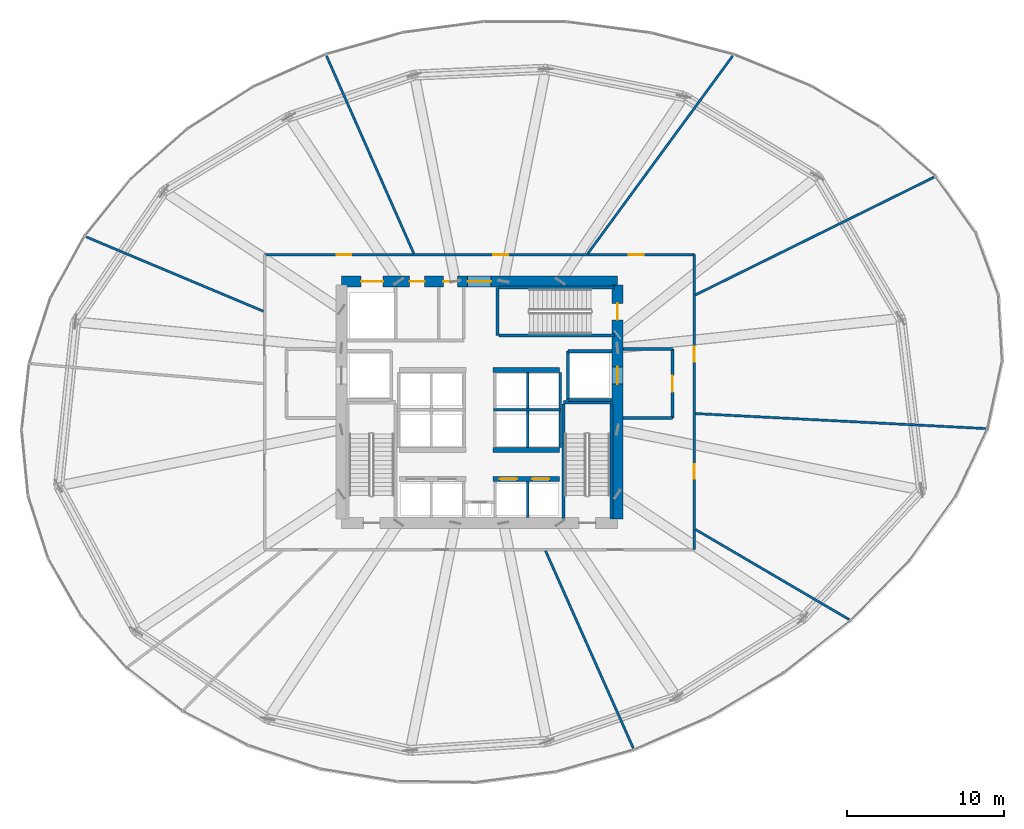
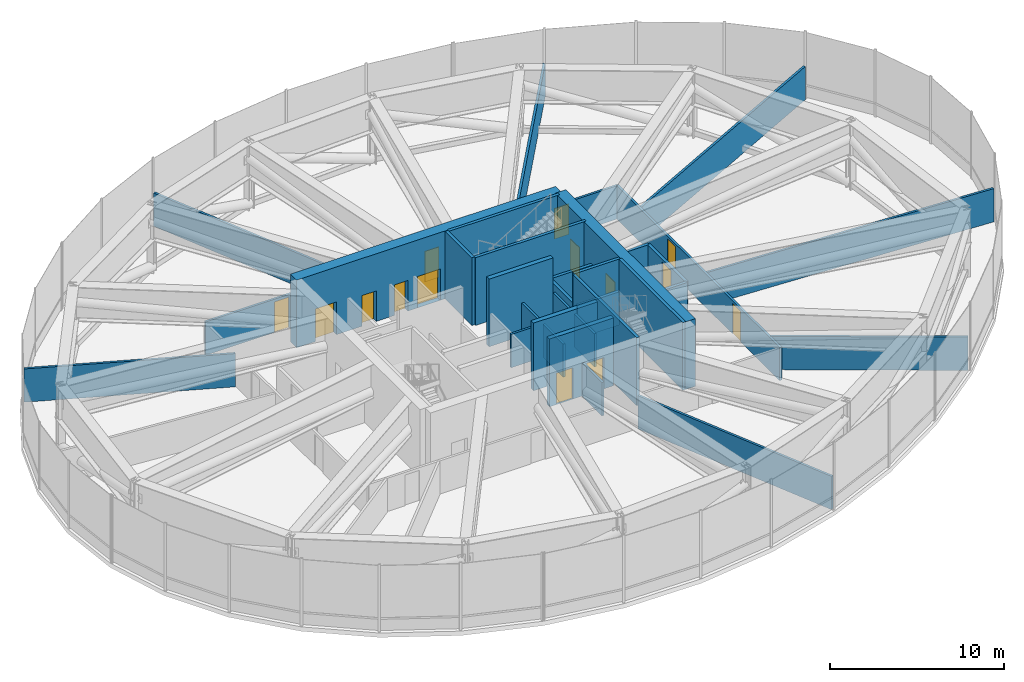
# One storey, part 31 of 33: 32 walls, 14 doors, 14 openings.
"""IFC4 building model written with IfcOpenShell, lengths in metres."""

from ifc_helpers import new_model, si_unit, direction, frame, frame_2d, origin, place, context, subcontext, project, spatial, rectangle, extrude, source, transform, mapped, material, layer, layer_set, type_object, element, fill, save


model = new_model("IFC4")

# Units and contexts
model_context = context("Model", 3, precision=1e-05, world=origin(), true_north=direction((0.0, 1.0)))
body_context = subcontext(model_context, "Body", "Model", "MODEL_VIEW")
ifc_project = project(units=[si_unit("LENGTHUNIT", "METRE"), si_unit("AREAUNIT", "SQUARE_METRE"), si_unit("VOLUMEUNIT", "CUBIC_METRE"), si_unit("PLANEANGLEUNIT", "RADIAN"), si_unit("MASSUNIT", "GRAM", prefix="KILO"), si_unit("THERMODYNAMICTEMPERATUREUNIT", "KELVIN")], contexts=[model_context])

# Site, building, storey
site_placement = place(None, origin())
site = spatial("IfcSite", under=ifc_project, at=site_placement, CompositionType="ELEMENT")
building_placement = place(site_placement, origin())
building = spatial("IfcBuilding", under=site, at=building_placement, Name="Kethvar Cultural Tower", CompositionType="ELEMENT")
storey_placement = place(building_placement, frame((0.0, 0.0, 80.39990234375)))
storey = spatial("IfcBuildingStorey", under=building, at=storey_placement, Name="L19", CompositionType="ELEMENT", Elevation=80.39990234375)

# Wall, openings, doors
ifc_material_1 = material(Name="Concrete C60/75", Category="concrete")
ifc_layer_1 = layer(ifc_material_1, 0.699951171875, Name="Concrete C60/75", Category="concrete")
ifc_layer_set_1 = layer_set([ifc_layer_1], Name="Concrete C60/75 (700 mm)")
wall_type_1 = type_object("IfcWallType", Name="WL-CORE-700", PredefinedType="SHEAR", material=ifc_layer_set_1)
wall_1_placement = place(storey_placement, frame((55.60009765625, 35.5, 0.0), z_axis=(0.0, 0.0, 1.0), x_axis=(-1.0, 0.0, 0.0)))
wall_1 = element("IfcWall", 1, at=wall_1_placement, inside=storey, type_object=wall_type_1, Name="L19 Core Shear Wall N", PredefinedType="SHEAR", context=body_context, shape_type="SweptSolid", body=[
    extrude(rectangle(XDim=17.60009765625, YDim=0.699951171875, at=frame_2d((8.800048828125, 0.0))), origin(), (0.0, 0.0, 1.0), 4.760009765625),
])
opening_1_placement = place(wall_1_placement, frame((8.050048828125, 0.0, 0.0)))
opening_1 = element("IfcOpeningElement", 2, at=opening_1_placement, cuts=wall_1, Name="Opening D-L19-LN", PredefinedType="OPENING", context=body_context, shape_type="SweptSolid", body=[
    extrude(rectangle(XDim=1.5, YDim=2.199951171875, at=frame_2d((0.75, 1.10009765625))), frame((0.0, 0.35986328125, 0.0), z_axis=(0.0, -1.0, 0.0), x_axis=(1.0, 0.0, 0.0)), (0.0, 0.0, 1.0), 0.719970703125),
])
opening_2_placement = place(wall_1_placement, frame((14.949951171875, 0.0, 0.0)))
opening_2 = element("IfcOpeningElement", 3, at=opening_2_placement, cuts=wall_1, Name="Opening LD-G1", PredefinedType="OPENING", context=body_context, shape_type="SweptSolid", body=[
    extrude(rectangle(XDim=1.39990234375, YDim=2.300048828125, at=frame_2d((0.699951171875, 1.14990234375))), frame((0.0, 0.35986328125, 0.0), z_axis=(0.0, -1.0, 0.0), x_axis=(1.0, 0.0, 0.0)), (0.0, 0.0, 1.0), 0.719970703125),
])
opening_3_placement = place(wall_1_placement, frame((12.300048828125, 0.0, 0.0)))
opening_3 = element("IfcOpeningElement", 4, at=opening_3_placement, cuts=wall_1, Name="Opening D-L19-W1", PredefinedType="OPENING", context=body_context, shape_type="SweptSolid", body=[
    extrude(rectangle(XDim=0.949951171875, YDim=2.14990234375, at=frame_2d((0.47509765625, 1.074951171875))), frame((0.0, 0.35986328125, 0.0), z_axis=(0.0, -1.0, 0.0), x_axis=(1.0, 0.0, 0.0)), (0.0, 0.0, 1.0), 0.719970703125),
])
opening_4_placement = place(wall_1_placement, frame((10.199951171875, 0.0, 0.0)))
opening_4 = element("IfcOpeningElement", 5, at=opening_4_placement, cuts=wall_1, Name="Opening D-L19-W2", PredefinedType="OPENING", context=body_context, shape_type="SweptSolid", body=[
    extrude(rectangle(XDim=0.89990234375, YDim=2.14990234375, at=frame_2d((0.449951171875, 1.074951171875))), frame((0.0, 0.35986328125, 0.0), z_axis=(0.0, -1.0, 0.0), x_axis=(1.0, 0.0, 0.0)), (0.0, 0.0, 1.0), 0.719970703125),
])
ifc_material_2 = material(Name="Architectural Oak Timber", Category="wood")
door_type_1 = type_object("IfcDoorType", Name="DR-DBL-FD60-1500", OperationType="DOUBLE_DOOR_SINGLE_SWING", PredefinedType="DOOR", material=ifc_material_2)
shared_shape_1 = source(origin(), body_context, "Body", "SweptSolid", [
    extrude(rectangle(XDim=1.5, YDim=2.199951171875, at=frame_2d((0.75, 1.10009765625))), frame((0.0, 0.02490234375, 0.0), z_axis=(0.0, -1.0, 0.0), x_axis=(1.0, 0.0, 0.0)), (0.0, 0.0, 1.0), 0.050048828125),
])
door_1_placement = place(opening_1_placement, origin())
door_1 = element("IfcDoor", 6, at=door_1_placement, inside=storey, type_object=door_type_1, Name="L19 Lift Lobby Concourse Door", OperationType="DOUBLE_DOOR_SINGLE_SWING", OverallHeight=2.199951171875, OverallWidth=1.5, PredefinedType="DOOR", context=body_context, shape_type="MappedRepresentation", body=[
    mapped(shared_shape_1, transform((0.0, 0.0, 0.0), scale=1.0)),
])
fill(opening_1, door_1)
ifc_material_3 = material(Name="Steel S355J2", Category="steel")
door_type_2 = type_object("IfcDoorType", Name="DR-LIFT-SLIDE-1400", OperationType="NOTDEFINED", PredefinedType="DOOR", material=ifc_material_3)
shared_shape_2 = source(origin(), body_context, "Body", "SweptSolid", [
    extrude(rectangle(XDim=1.39990234375, YDim=2.300048828125, at=frame_2d((0.699951171875, 1.14990234375))), frame((0.0, 0.02490234375, 0.0), z_axis=(0.0, -1.0, 0.0), x_axis=(1.0, 0.0, 0.0)), (0.0, 0.0, 1.0), 0.050048828125),
])
door_2_placement = place(opening_2_placement, origin())
door_2 = element("IfcDoor", 7, at=door_2_placement, inside=storey, type_object=door_type_2, Name="L19 Goods Lift Landing Door", OperationType="SLIDING_TO_RIGHT", OverallHeight=2.300048828125, OverallWidth=1.39990234375, PredefinedType="DOOR", context=body_context, shape_type="MappedRepresentation", body=[
    mapped(shared_shape_2, transform((0.0, 0.0, 0.0), scale=1.0)),
])
fill(opening_2, door_2)
door_type_3 = type_object("IfcDoorType", Name="DR-FD30-950", OperationType="NOTDEFINED", PredefinedType="DOOR", material=ifc_material_2)
shared_shape_3 = source(origin(), body_context, "Body", "SweptSolid", [
    extrude(rectangle(XDim=0.949951171875, YDim=2.14990234375, at=frame_2d((0.47509765625, 1.074951171875))), frame((0.0, 0.02490234375, 0.0), z_axis=(0.0, -1.0, 0.0), x_axis=(1.0, 0.0, 0.0)), (0.0, 0.0, 1.0), 0.050048828125),
])
door_3_placement = place(opening_3_placement, origin())
door_3 = element("IfcDoor", 8, at=door_3_placement, inside=storey, type_object=door_type_3, Name="L19 Public Washroom Door", OperationType="SINGLE_SWING_LEFT", OverallHeight=2.14990234375, OverallWidth=0.949951171875, PredefinedType="DOOR", context=body_context, shape_type="MappedRepresentation", body=[
    mapped(shared_shape_3, transform((0.0, 0.0, 0.0), scale=1.0)),
])
fill(opening_3, door_3)
door_type_4 = type_object("IfcDoorType", Name="DR-FD30-900", OperationType="NOTDEFINED", PredefinedType="DOOR", material=ifc_material_2)
shared_shape_4 = source(origin(), body_context, "Body", "SweptSolid", [
    extrude(rectangle(XDim=0.89990234375, YDim=2.14990234375, at=frame_2d((0.449951171875, 1.074951171875))), frame((0.0, 0.02490234375, 0.0), z_axis=(0.0, -1.0, 0.0), x_axis=(1.0, 0.0, 0.0)), (0.0, 0.0, 1.0), 0.050048828125),
])
door_4_placement = place(opening_4_placement, origin())
door_4 = element("IfcDoor", 9, at=door_4_placement, inside=storey, type_object=door_type_4, Name="L19 Accessible Washroom Door", OperationType="SINGLE_SWING_RIGHT", OverallHeight=2.14990234375, OverallWidth=0.89990234375, PredefinedType="DOOR", context=body_context, shape_type="MappedRepresentation", body=[
    mapped(shared_shape_4, transform((0.0, 0.0, 0.0), scale=1.0)),
])
fill(opening_4, door_4)

wall_2_placement = place(storey_placement, frame((55.60009765625, 20.340087890625, 0.0), z_axis=(0.0, 0.0, 1.0), x_axis=(0.0, 1.0, 0.0)))
wall_2 = element("IfcWall", 10, at=wall_2_placement, inside=storey, type_object=wall_type_1, Name="L19 Core Shear Wall E", PredefinedType="SHEAR", context=body_context, shape_type="SweptSolid", body=[
    extrude(rectangle(XDim=14.919921875, YDim=0.699951171875, at=frame_2d((7.4599609375, 0.0))), origin(), (0.0, 0.0, 1.0), 4.760009765625),
])
opening_5_placement = place(wall_2_placement, frame((12.7099609375, 0.0, 0.0)))
opening_5 = element("IfcOpeningElement", 11, at=opening_5_placement, cuts=wall_2, Name="Opening D-L19-S3", PredefinedType="OPENING", context=body_context, shape_type="SweptSolid", body=[
    extrude(rectangle(XDim=1.050048828125, YDim=2.14990234375, at=frame_2d((0.52490234375, 1.074951171875))), frame((0.0, 0.35986328125, 0.0), z_axis=(0.0, -1.0, 0.0), x_axis=(1.0, 0.0, 0.0)), (0.0, 0.0, 1.0), 0.719970703125),
])
opening_6_placement = place(wall_2_placement, frame((8.610107421875, 0.0, 0.0)))
opening_6 = element("IfcOpeningElement", 12, at=opening_6_placement, cuts=wall_2, Name="Opening LD-2", PredefinedType="OPENING", context=body_context, shape_type="SweptSolid", body=[
    extrude(rectangle(XDim=1.10009765625, YDim=2.199951171875, at=frame_2d((0.550048828125, 1.10009765625))), frame((0.0, 0.35986328125, 0.0), z_axis=(0.0, -1.0, 0.0), x_axis=(1.0, 0.0, 0.0)), (0.0, 0.0, 1.0), 0.719970703125),
])
door_type_5 = type_object("IfcDoorType", Name="DR-FD60-1050", OperationType="NOTDEFINED", PredefinedType="DOOR", material=ifc_material_3)
shared_shape_5 = source(origin(), body_context, "Body", "SweptSolid", [
    extrude(rectangle(XDim=1.050048828125, YDim=2.14990234375, at=frame_2d((0.52490234375, 1.074951171875))), frame((0.0, 0.02490234375, 0.0), z_axis=(0.0, -1.0, 0.0), x_axis=(1.0, 0.0, 0.0)), (0.0, 0.0, 1.0), 0.050048828125),
])
door_5_placement = place(opening_5_placement, origin())
door_5 = element("IfcDoor", 13, at=door_5_placement, inside=storey, type_object=door_type_5, Name="L19 Exit Stair 3 Door", OperationType="SINGLE_SWING_LEFT", OverallHeight=2.14990234375, OverallWidth=1.050048828125, PredefinedType="DOOR", context=body_context, shape_type="MappedRepresentation", body=[
    mapped(shared_shape_5, transform((0.0, 0.0, 0.0), scale=1.0)),
])
fill(opening_5, door_5)
door_type_6 = type_object("IfcDoorType", Name="DR-LIFT-SLIDE-1100", OperationType="NOTDEFINED", PredefinedType="DOOR", material=ifc_material_3)
shared_shape_6 = source(origin(), body_context, "Body", "SweptSolid", [
    extrude(rectangle(XDim=1.10009765625, YDim=2.199951171875, at=frame_2d((0.550048828125, 1.10009765625))), frame((0.0, 0.02490234375, 0.0), z_axis=(0.0, -1.0, 0.0), x_axis=(1.0, 0.0, 0.0)), (0.0, 0.0, 1.0), 0.050048828125),
])
door_6_placement = place(opening_6_placement, origin())
door_6 = element("IfcDoor", 14, at=door_6_placement, inside=storey, type_object=door_type_6, Name="L19 Firefighting Lift Landing Door FFL-02", OperationType="SLIDING_TO_RIGHT", OverallHeight=2.199951171875, OverallWidth=1.10009765625, PredefinedType="DOOR", context=body_context, shape_type="MappedRepresentation", body=[
    mapped(shared_shape_6, transform((0.0, 0.0, 0.0), scale=1.0)),
])
fill(opening_6, door_6)

# Walls
ifc_material_4 = material(Name="Gypsum Fireboard Partition")
ifc_layer_2 = layer(ifc_material_4, 0.14990234375, Name="Gypsum Fireboard Partition")
ifc_layer_set_2 = layer_set([ifc_layer_2], Name="Gypsum Fireboard Partition (150 mm)")
wall_type_2 = type_object("IfcWallType", Name="WL-FIRE-150", PredefinedType="PARTITIONING", material=ifc_layer_set_2)
wall_3_placement = place(storey_placement, frame((49.875, 20.4599609375, 0.0), z_axis=(0.0, 0.0, 1.0), x_axis=(0.0, 1.0, 0.0)))
element("IfcWall", 15, at=wall_3_placement, inside=storey, type_object=wall_type_2, Name="L19 Low-Rise Lift Shaft Divider E", PredefinedType="PARTITIONING", context=body_context, shape_type="SweptSolid", body=[
    extrude(rectangle(XDim=2.27001953125, YDim=0.14990234375, at=frame_2d((1.135009765625, 0.0))), origin(), (0.0, 0.0, 1.0), 2.335205078125),
])
wall_4_placement = place(storey_placement, frame((47.699951171875, 27.324951171875, 0.0), z_axis=(0.0, 0.0, 1.0), x_axis=(1.0, 0.0, 0.0)))
element("IfcWall", 16, at=wall_4_placement, inside=storey, type_object=wall_type_2, Name="L19 Mid-High Lift Shaft Back Wall E", PredefinedType="PARTITIONING", context=body_context, shape_type="SweptSolid", body=[
    extrude(rectangle(XDim=4.320068359375, YDim=0.14990234375, at=frame_2d((2.16015625, 0.0))), origin(), (0.0, 0.0, 1.0), 2.335205078125),
])
for number, where, z_axis, x_axis, name in (
    (17, (49.875, 24.919921875, 0.0), (0.0, 0.0, 1.0), (0.0, 1.0, 0.0), "L19 Mid-Rise Lift Shaft Divider E"),
    (18, (51.949951171875, 24.919921875, 0.0), (0.0, 0.0, 1.0), (0.0, 1.0, 0.0), "L19 Mid-Rise Lift Shaft Outer Wall E"),
):
    element("IfcWall", number, at=place(storey_placement, frame(where, z_axis=z_axis, x_axis=x_axis)), inside=storey, type_object=wall_type_2, Name=name, PredefinedType="PARTITIONING", context=body_context, shape_type="SweptSolid", body=[
        extrude(rectangle(XDim=2.320068359375, YDim=0.14990234375, at=frame_2d((1.16015625, 0.0))), origin(), (0.0, 0.0, 1.0), 2.335205078125),
    ])
for number, where, z_axis, x_axis, name in (
    (19, (49.875, 27.409912109375, 0.0), (0.0, 0.0, 1.0), (0.0, 1.0, 0.0), "L19 High-Rise Lift Shaft Divider E"),
    (20, (51.949951171875, 27.409912109375, 0.0), (0.0, 0.0, 1.0), (0.0, 1.0, 0.0), "L19 High-Rise Lift Shaft Outer Wall E"),
):
    element("IfcWall", number, at=place(storey_placement, frame(where, z_axis=z_axis, x_axis=x_axis)), inside=storey, type_object=wall_type_2, Name=name, PredefinedType="PARTITIONING", context=body_context, shape_type="SweptSolid", body=[
        extrude(rectangle(XDim=2.27001953125, YDim=0.14990234375, at=frame_2d((1.135009765625, 0.0))), origin(), (0.0, 0.0, 1.0), 2.335205078125),
    ])

# Wall, openings, doors
wall_5_placement = place(storey_placement, frame((60.5, 18.39990234375, 0.0), z_axis=(0.0, 0.0, 1.0), x_axis=(0.0, 1.0, 0.0)))
wall_5 = element("IfcWall", 21, at=wall_5_placement, inside=storey, type_object=wall_type_2, Name="L19 Corridor Rated Wall E", PredefinedType="PARTITIONING", context=body_context, shape_type="SweptSolid", body=[
    extrude(rectangle(XDim=18.800048828125, YDim=0.14990234375, at=frame_2d((9.39990234375, 0.0))), origin(), (0.0, 0.0, 1.0), 2.335205078125),
])
opening_7_placement = place(wall_5_placement, frame((4.50390625, 0.0, 0.0)))
opening_7 = element("IfcOpeningElement", 22, at=opening_7_placement, cuts=wall_5, Name="Opening D-L19-04", PredefinedType="OPENING", context=body_context, shape_type="SweptSolid", body=[
    extrude(rectangle(XDim=0.949951171875, YDim=2.14990234375, at=frame_2d((0.47509765625, 1.074951171875))), frame((0.0, 0.0849609375, 0.0), z_axis=(0.0, -1.0, 0.0), x_axis=(1.0, 0.0, 0.0)), (0.0, 0.0, 1.0), 0.169921875),
])
opening_8_placement = place(wall_5_placement, frame((11.98291015625, 0.0, 0.0)))
opening_8 = element("IfcOpeningElement", 23, at=opening_8_placement, cuts=wall_5, Name="Opening D-L19-05", PredefinedType="OPENING", context=body_context, shape_type="SweptSolid", body=[
    extrude(rectangle(XDim=0.949951171875, YDim=2.14990234375, at=frame_2d((0.47509765625, 1.074951171875))), frame((0.0, 0.0849609375, 0.0), z_axis=(0.0, -1.0, 0.0), x_axis=(1.0, 0.0, 0.0)), (0.0, 0.0, 1.0), 0.169921875),
])
door_7_placement = place(opening_7_placement, origin())
door_7 = element("IfcDoor", 24, at=door_7_placement, inside=storey, type_object=door_type_3, Name="L19 Chilled Water Pump Plant Room 04 Door", OperationType="SINGLE_SWING_LEFT", OverallHeight=2.14990234375, OverallWidth=0.949951171875, PredefinedType="DOOR", context=body_context, shape_type="MappedRepresentation", body=[
    mapped(shared_shape_3, transform((0.0, 0.0, 0.0), scale=1.0)),
])
fill(opening_7, door_7)
door_8_placement = place(opening_8_placement, origin())
door_8 = element("IfcDoor", 25, at=door_8_placement, inside=storey, type_object=door_type_3, Name="L19 Electrical Switchgear Plant Room 05 Door", OperationType="SINGLE_SWING_RIGHT", OverallHeight=2.14990234375, OverallWidth=0.949951171875, PredefinedType="DOOR", context=body_context, shape_type="MappedRepresentation", body=[
    mapped(shared_shape_3, transform((0.0, 0.0, 0.0), scale=1.0)),
])
fill(opening_8, door_8)

wall_6_placement = place(storey_placement, frame((60.5, 37.199951171875, 0.0), z_axis=(0.0, 0.0, 1.0), x_axis=(-1.0, 0.0, 0.0)))
wall_6 = element("IfcWall", 26, at=wall_6_placement, inside=storey, type_object=wall_type_2, Name="L19 Corridor Rated Wall N", PredefinedType="PARTITIONING", context=body_context, shape_type="SweptSolid", body=[
    extrude(rectangle(XDim=27.39990234375, YDim=0.14990234375, at=frame_2d((13.699951171875, 0.0))), origin(), (0.0, 0.0, 1.0), 2.335205078125),
])
opening_9_placement = place(wall_6_placement, frame((3.239501953125, 0.0, 0.0)))
opening_9 = element("IfcOpeningElement", 27, at=opening_9_placement, cuts=wall_6, Name="Opening D-L19-06", PredefinedType="OPENING", context=body_context, shape_type="SweptSolid", body=[
    extrude(rectangle(XDim=0.949951171875, YDim=2.14990234375, at=frame_2d((0.47509765625, 1.074951171875))), frame((0.0, 0.0849609375, 0.0), z_axis=(0.0, -1.0, 0.0), x_axis=(1.0, 0.0, 0.0)), (0.0, 0.0, 1.0), 0.169921875),
])
opening_10_placement = place(wall_6_placement, frame((11.856201171875, 0.0, 0.0)))
opening_10 = element("IfcOpeningElement", 28, at=opening_10_placement, cuts=wall_6, Name="Opening D-L19-07", PredefinedType="OPENING", context=body_context, shape_type="SweptSolid", body=[
    extrude(rectangle(XDim=0.949951171875, YDim=2.14990234375, at=frame_2d((0.47509765625, 1.074951171875))), frame((0.0, 0.0849609375, 0.0), z_axis=(0.0, -1.0, 0.0), x_axis=(1.0, 0.0, 0.0)), (0.0, 0.0, 1.0), 0.169921875),
])
opening_11_placement = place(wall_6_placement, frame((21.86181640625, 0.0, 0.0)))
opening_11 = element("IfcOpeningElement", 29, at=opening_11_placement, cuts=wall_6, Name="Opening D-L19-08", PredefinedType="OPENING", context=body_context, shape_type="SweptSolid", body=[
    extrude(rectangle(XDim=0.949951171875, YDim=2.14990234375, at=frame_2d((0.47509765625, 1.074951171875))), frame((0.0, 0.0849609375, 0.0), z_axis=(0.0, -1.0, 0.0), x_axis=(1.0, 0.0, 0.0)), (0.0, 0.0, 1.0), 0.169921875),
])
door_9_placement = place(opening_9_placement, origin())
door_9 = element("IfcDoor", 30, at=door_9_placement, inside=storey, type_object=door_type_3, Name="L19 Smoke Extract Fan Plant Room 06 Door", OperationType="SINGLE_SWING_LEFT", OverallHeight=2.14990234375, OverallWidth=0.949951171875, PredefinedType="DOOR", context=body_context, shape_type="MappedRepresentation", body=[
    mapped(shared_shape_3, transform((0.0, 0.0, 0.0), scale=1.0)),
])
fill(opening_9, door_9)
door_10_placement = place(opening_10_placement, origin())
door_10 = element("IfcDoor", 31, at=door_10_placement, inside=storey, type_object=door_type_3, Name="L19 Heat Recovery Mechanical Plant Room 07 Door", OperationType="SINGLE_SWING_RIGHT", OverallHeight=2.14990234375, OverallWidth=0.949951171875, PredefinedType="DOOR", context=body_context, shape_type="MappedRepresentation", body=[
    mapped(shared_shape_3, transform((0.0, 0.0, 0.0), scale=1.0)),
])
fill(opening_10, door_10)
door_11_placement = place(opening_11_placement, origin())
door_11 = element("IfcDoor", 32, at=door_11_placement, inside=storey, type_object=door_type_3, Name="L19 Pressurisation Fan Plant Room 08 Door", OperationType="SINGLE_SWING_LEFT", OverallHeight=2.14990234375, OverallWidth=0.949951171875, PredefinedType="DOOR", context=body_context, shape_type="MappedRepresentation", body=[
    mapped(shared_shape_3, transform((0.0, 0.0, 0.0), scale=1.0)),
])
fill(opening_11, door_11)

# Walls
wall_7_placement = place(storey_placement, frame((51.010986328125, 18.326904296875, 0.0), z_axis=(0.0, 0.0, 1.0), x_axis=(0.406247031728, -0.913763289486, 0.0)))
element("IfcWall", 33, at=wall_7_placement, inside=storey, type_object=wall_type_2, Name="L19 Radial Partition Wall 03", PredefinedType="PARTITIONING", context=body_context, shape_type="SweptSolid", body=[
    extrude(rectangle(XDim=13.7705078125, YDim=0.14990234375, at=frame_2d((6.88525390625, 0.0))), origin(), (0.0, 0.0, 1.0), 2.335205078125),
])
wall_8_placement = place(storey_placement, frame((60.569091796875, 19.684814453125, 0.0), z_axis=(0.0, 0.0, 1.0), x_axis=(0.862760384017, -0.505613013847, 0.0)))
element("IfcWall", 34, at=wall_8_placement, inside=storey, type_object=wall_type_2, Name="L19 Radial Partition Wall 04", PredefinedType="PARTITIONING", context=body_context, shape_type="SweptSolid", body=[
    extrude(rectangle(XDim=11.3564453125, YDim=0.14990234375, at=frame_2d((5.67822265625, 0.0))), origin(), (0.0, 0.0, 1.0), 2.335205078125),
])
wall_9_placement = place(storey_placement, frame((60.579833984375, 27.073486328125, 0.0), z_axis=(0.0, 0.0, 1.0), x_axis=(0.998666262496, -0.051630380125, 0.0)))
element("IfcWall", 35, at=wall_9_placement, inside=storey, type_object=wall_type_2, Name="L19 Radial Partition Wall 05", PredefinedType="PARTITIONING", context=body_context, shape_type="SweptSolid", body=[
    extrude(rectangle(XDim=18.52197265625, YDim=0.14990234375, at=frame_2d((9.260986328125, 0.0))), origin(), (0.0, 0.0, 1.0), 2.335205078125),
])
wall_10_placement = place(storey_placement, frame((60.57177734375, 34.641357421875, 0.0), z_axis=(0.0, 0.0, 1.0), x_axis=(0.896742558372, 0.442552577673, 0.0)))
element("IfcWall", 36, at=wall_10_placement, inside=storey, type_object=wall_type_2, Name="L19 Radial Partition Wall 06", PredefinedType="PARTITIONING", context=body_context, shape_type="SweptSolid", body=[
    extrude(rectangle(XDim=16.950927734375, YDim=0.14990234375, at=frame_2d((8.4755859375, 0.0))), origin(), (0.0, 0.0, 1.0), 2.335205078125),
])
wall_11_placement = place(storey_placement, frame((53.697998046875, 37.264404296875, 0.0), z_axis=(0.0, 0.0, 1.0), x_axis=(0.591230952175, 0.806502300797, 0.0)))
element("IfcWall", 37, at=wall_11_placement, inside=storey, type_object=wall_type_2, Name="L19 Radial Partition Wall 07", PredefinedType="PARTITIONING", context=body_context, shape_type="SweptSolid", body=[
    extrude(rectangle(XDim=15.632568359375, YDim=0.14990234375, at=frame_2d((7.81640625, 0.0))), origin(), (0.0, 0.0, 1.0), 2.335205078125),
])
wall_12_placement = place(storey_placement, frame((42.6142578125, 37.273193359375, 0.0), z_axis=(0.0, 0.0, 1.0), x_axis=(-0.404136937948, 0.914698494252, 0.0)))
element("IfcWall", 38, at=wall_12_placement, inside=storey, type_object=wall_type_2, Name="L19 Radial Partition Wall 08", PredefinedType="PARTITIONING", context=body_context, shape_type="SweptSolid", body=[
    extrude(rectangle(XDim=13.768798828125, YDim=0.14990234375, at=frame_2d((6.88427734375, 0.0))), origin(), (0.0, 0.0, 1.0), 2.335205078125),
])
wall_13_placement = place(storey_placement, frame((33.026123046875, 33.596435546875, 0.0), z_axis=(0.0, 0.0, 1.0), x_axis=(-0.922101034733, 0.386949197885, 0.0)))
element("IfcWall", 39, at=wall_13_placement, inside=storey, type_object=wall_type_2, Name="L19 Radial Partition Wall 09", PredefinedType="PARTITIONING", context=body_context, shape_type="SweptSolid", body=[
    extrude(rectangle(XDim=12.249755859375, YDim=0.14990234375, at=frame_2d((6.125, 0.0))), origin(), (0.0, 0.0, 1.0), 2.335205078125),
])
ifc_material_5 = material(Name="Concrete C40/50", Category="concrete")
ifc_layer_3 = layer(ifc_material_5, 0.199951171875, Name="Concrete C40/50", Category="concrete")
ifc_layer_set_3 = layer_set([ifc_layer_3], Name="Concrete C40/50 (200 mm)")
wall_type_3 = type_object("IfcWallType", Name="WL-FIRE-200", PredefinedType="PARTITIONING", material=ifc_layer_set_3)
wall_14_placement = place(storey_placement, frame((52.449951171875, 27.949951171875, 0.0), z_axis=(0.0, 0.0, 1.0), x_axis=(0.0, 1.0, 0.0)))
element("IfcWall", 40, at=wall_14_placement, inside=storey, type_object=wall_type_3, Name="L19 FFL-02 Shaft Inner Wall", PredefinedType="PARTITIONING", context=body_context, shape_type="SweptSolid", body=[
    extrude(rectangle(XDim=3.10009765625, YDim=0.199951171875, at=frame_2d((1.550048828125, 0.0))), origin(), (0.0, 0.0, 1.0), 2.335205078125),
])
for number, where, z_axis, x_axis, name in (
    (41, (52.449951171875, 27.949951171875, 0.0), (0.0, 0.0, 1.0), (1.0, 0.0, 0.0), "L19 FFL-02 Shaft South Wall"),
    (42, (52.449951171875, 31.050048828125, 0.0), (0.0, 0.0, 1.0), (1.0, 0.0, 0.0), "L19 FFL-02 Shaft North Wall"),
):
    element("IfcWall", number, at=place(storey_placement, frame(where, z_axis=z_axis, x_axis=x_axis)), inside=storey, type_object=wall_type_3, Name=name, PredefinedType="PARTITIONING", context=body_context, shape_type="SweptSolid", body=[
        extrude(rectangle(XDim=2.7900390625, YDim=0.199951171875, at=frame_2d((1.39501953125, 0.0))), origin(), (0.0, 0.0, 1.0), 2.335205078125),
    ])

# Wall, opening, door
wall_15_placement = place(storey_placement, frame((59.10009765625, 26.800048828125, 0.0), z_axis=(0.0, 0.0, 1.0), x_axis=(0.0, 1.0, 0.0)))
wall_15 = element("IfcWall", 43, at=wall_15_placement, inside=storey, type_object=wall_type_3, Name="L19 Firefighting Lobby 2 Wall", PredefinedType="PARTITIONING", context=body_context, shape_type="SweptSolid", body=[
    extrude(rectangle(XDim=4.39990234375, YDim=0.199951171875, at=frame_2d((2.199951171875, 0.0))), origin(), (0.0, 0.0, 1.0), 2.335205078125),
])
opening_12_placement = place(wall_15_placement, frame((1.64990234375, 0.0, 0.0)))
opening_12 = element("IfcOpeningElement", 44, at=opening_12_placement, cuts=wall_15, Name="Opening D-L19-F2", PredefinedType="OPENING", context=body_context, shape_type="SweptSolid", body=[
    extrude(rectangle(XDim=1.050048828125, YDim=2.14990234375, at=frame_2d((0.52490234375, 1.074951171875))), frame((0.0, 0.10986328125, 0.0), z_axis=(0.0, -1.0, 0.0), x_axis=(1.0, 0.0, 0.0)), (0.0, 0.0, 1.0), 0.219970703125),
])
door_12_placement = place(opening_12_placement, origin())
door_12 = element("IfcDoor", 45, at=door_12_placement, inside=storey, type_object=door_type_5, Name="L19 Firefighting Lobby 2 Fire Door", OperationType="SINGLE_SWING_LEFT", OverallHeight=2.14990234375, OverallWidth=1.050048828125, PredefinedType="DOOR", context=body_context, shape_type="MappedRepresentation", body=[
    mapped(shared_shape_5, transform((0.0, 0.0, 0.0), scale=1.0)),
])
fill(opening_12, door_12)

# Walls
for number, where, z_axis, x_axis, name in (
    (46, (55.9599609375, 26.800048828125, 0.0), (0.0, 0.0, 1.0), (1.0, 0.0, 0.0), "L19 FF Lobby 2 South Wall"),
    (47, (55.9599609375, 31.199951171875, 0.0), (0.0, 0.0, 1.0), (1.0, 0.0, 0.0), "L19 FF Lobby 2 North Wall"),
):
    element("IfcWall", number, at=place(storey_placement, frame(where, z_axis=z_axis, x_axis=x_axis)), inside=storey, type_object=wall_type_3, Name=name, PredefinedType="PARTITIONING", context=body_context, shape_type="SweptSolid", body=[
        extrude(rectangle(XDim=3.14013671875, YDim=0.199951171875, at=frame_2d((1.570068359375, 0.0))), origin(), (0.0, 0.0, 1.0), 2.335205078125),
    ])

# Wall, openings, doors
ifc_material_6 = material(Name="Concrete C50/60", Category="concrete")
ifc_layer_4 = layer(ifc_material_6, 0.300048828125, Name="Concrete C50/60", Category="concrete")
ifc_layer_set_4 = layer_set([ifc_layer_4], Name="Concrete C50/60 (300 mm)")
wall_type_4 = type_object("IfcWallType", Name="WL-SHAFT-300", PredefinedType="SHEAR", material=ifc_layer_set_4)
wall_16_placement = place(storey_placement, frame((47.64990234375, 22.89990234375, 0.0), z_axis=(0.0, 0.0, 1.0), x_axis=(1.0, 0.0, 0.0)))
wall_16 = element("IfcWall", 48, at=wall_16_placement, inside=storey, type_object=wall_type_4, Name="L19 Core Lift Spine Wall MID1E", PredefinedType="SHEAR", context=body_context, shape_type="SweptSolid", body=[
    extrude(rectangle(XDim=4.25, YDim=0.300048828125, at=frame_2d((2.125, 0.0))), origin(), (0.0, 0.0, 1.0), 4.760009765625),
])
opening_13_placement = place(wall_16_placement, frame((0.449951171875, 0.0, 0.0)))
opening_13 = element("IfcOpeningElement", 49, at=opening_13_placement, cuts=wall_16, Name="Opening LD-L3", PredefinedType="OPENING", context=body_context, shape_type="SweptSolid", body=[
    extrude(rectangle(XDim=1.10009765625, YDim=2.199951171875, at=frame_2d((0.550048828125, 1.10009765625))), frame((0.0, 0.159912109375, 0.0), z_axis=(0.0, -1.0, 0.0), x_axis=(1.0, 0.0, 0.0)), (0.0, 0.0, 1.0), 0.320068359375),
])
opening_14_placement = place(wall_16_placement, frame((2.5, 0.0, 0.0)))
opening_14 = element("IfcOpeningElement", 50, at=opening_14_placement, cuts=wall_16, Name="Opening LD-L4", PredefinedType="OPENING", context=body_context, shape_type="SweptSolid", body=[
    extrude(rectangle(XDim=1.10009765625, YDim=2.199951171875, at=frame_2d((0.550048828125, 1.10009765625))), frame((0.0, 0.159912109375, 0.0), z_axis=(0.0, -1.0, 0.0), x_axis=(1.0, 0.0, 0.0)), (0.0, 0.0, 1.0), 0.320068359375),
])
door_13_placement = place(opening_13_placement, origin())
door_13 = element("IfcDoor", 51, at=door_13_placement, inside=storey, type_object=door_type_6, Name="L19 Low-Rise Lift Landing Door L3", OperationType="SLIDING_TO_LEFT", OverallHeight=2.199951171875, OverallWidth=1.10009765625, PredefinedType="DOOR", context=body_context, shape_type="MappedRepresentation", body=[
    mapped(shared_shape_6, transform((0.0, 0.0, 0.0), scale=1.0)),
])
fill(opening_13, door_13)
door_14_placement = place(opening_14_placement, origin())
door_14 = element("IfcDoor", 52, at=door_14_placement, inside=storey, type_object=door_type_6, Name="L19 Low-Rise Lift Landing Door L4", OperationType="SLIDING_TO_LEFT", OverallHeight=2.199951171875, OverallWidth=1.10009765625, PredefinedType="DOOR", context=body_context, shape_type="MappedRepresentation", body=[
    mapped(shared_shape_6, transform((0.0, 0.0, 0.0), scale=1.0)),
])
fill(opening_14, door_14)

# Walls
for number, where, z_axis, x_axis, name in (
    (53, (47.64990234375, 24.75, 0.0), (0.0, 0.0, 1.0), (1.0, 0.0, 0.0), "L19 Core Lift Spine Wall MID2E"),
    (54, (47.64990234375, 29.85009765625, 0.0), (0.0, 0.0, 1.0), (1.0, 0.0, 0.0), "L19 Core Lift Spine Wall MID3E"),
):
    element("IfcWall", number, at=place(storey_placement, frame(where, z_axis=z_axis, x_axis=x_axis)), inside=storey, type_object=wall_type_4, Name=name, PredefinedType="SHEAR", context=body_context, shape_type="SweptSolid", body=[
        extrude(rectangle(XDim=4.25, YDim=0.300048828125, at=frame_2d((2.125, 0.0))), origin(), (0.0, 0.0, 1.0), 4.760009765625),
    ])
ifc_layer_5 = layer(ifc_material_6, 0.199951171875, Name="Concrete C50/60", Category="concrete")
ifc_layer_set_5 = layer_set([ifc_layer_5], Name="Concrete C50/60 (200 mm)")
wall_type_5 = type_object("IfcWallType", Name="WL-STSHAFT-200", PredefinedType="SHEAR", material=ifc_layer_set_5)
wall_17_placement = place(storey_placement, frame((52.14990234375, 27.800048828125, 0.0), z_axis=(0.0, 0.0, 1.0), x_axis=(1.0, 0.0, 0.0)))
element("IfcWall", 55, at=wall_17_placement, inside=storey, type_object=wall_type_5, Name="L19 ST-02 Stair Shaft Wall FAR", PredefinedType="SHEAR", context=body_context, shape_type="SweptSolid", body=[
    extrude(rectangle(XDim=3.06005859375, YDim=0.199951171875, at=frame_2d((1.530029296875, 0.0))), origin(), (0.0, 0.0, 1.0), 4.760009765625),
])
for number, where, z_axis, x_axis, name in (
    (56, (55.2099609375, 27.699951171875, 0.0), (0.0, 0.0, 1.0), (0.0, -1.0, 0.0), "L19 ST-02 Stair Shaft Wall LEFT"),
    (57, (52.14990234375, 20.35009765625, 0.0), (0.0, 0.0, 1.0), (0.0, 1.0, 0.0), "L19 ST-02 Stair Shaft Wall RIGHT"),
):
    element("IfcWall", number, at=place(storey_placement, frame(where, z_axis=z_axis, x_axis=x_axis)), inside=storey, type_object=wall_type_5, Name=name, PredefinedType="SHEAR", context=body_context, shape_type="SweptSolid", body=[
        extrude(rectangle(XDim=7.349853515625, YDim=0.199951171875, at=frame_2d((3.6748046875, 0.0))), origin(), (0.0, 0.0, 1.0), 4.760009765625),
    ])
wall_18_placement = place(storey_placement, frame((47.949951171875, 32.050048828125, 0.0), z_axis=(0.0, 0.0, 1.0), x_axis=(0.0, 1.0, 0.0)))
element("IfcWall", 58, at=wall_18_placement, inside=storey, type_object=wall_type_5, Name="L19 ST-03 Stair Shaft Wall FAR", PredefinedType="SHEAR", context=body_context, shape_type="SweptSolid", body=[
    extrude(rectangle(XDim=3.06005859375, YDim=0.199951171875, at=frame_2d((1.530029296875, 0.0))), origin(), (0.0, 0.0, 1.0), 4.760009765625),
])
for number, where, z_axis, x_axis, name in (
    (59, (48.050048828125, 35.110107421875, 0.0), (0.0, 0.0, 1.0), (1.0, 0.0, 0.0), "L19 ST-03 Stair Shaft Wall LEFT"),
    (60, (55.39990234375, 32.050048828125, 0.0), (0.0, 0.0, 1.0), (-1.0, 0.0, 0.0), "L19 ST-03 Stair Shaft Wall RIGHT"),
):
    element("IfcWall", number, at=place(storey_placement, frame(where, z_axis=z_axis, x_axis=x_axis)), inside=storey, type_object=wall_type_5, Name=name, PredefinedType="SHEAR", context=body_context, shape_type="SweptSolid", body=[
        extrude(rectangle(XDim=7.349853515625, YDim=0.199951171875, at=frame_2d((3.6748046875, 0.0))), origin(), (0.0, 0.0, 1.0), 4.760009765625),
    ])

save(model, "model.ifc")
